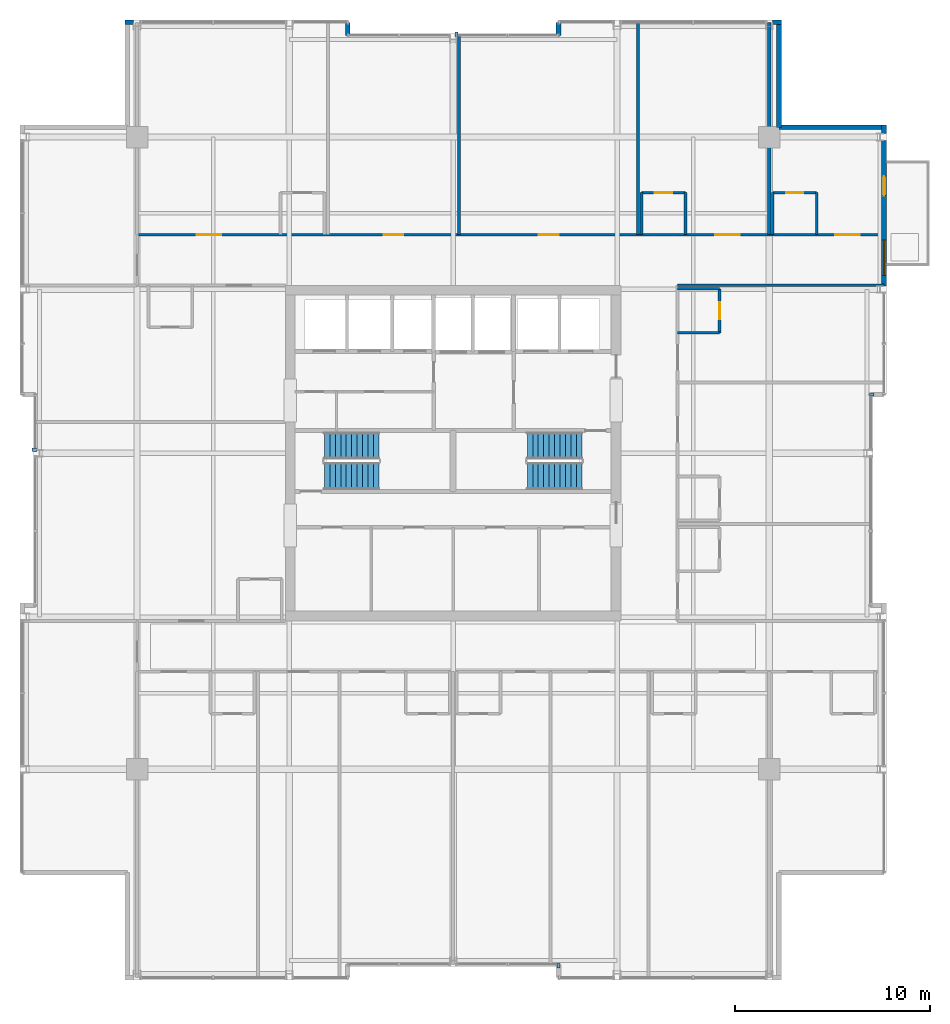
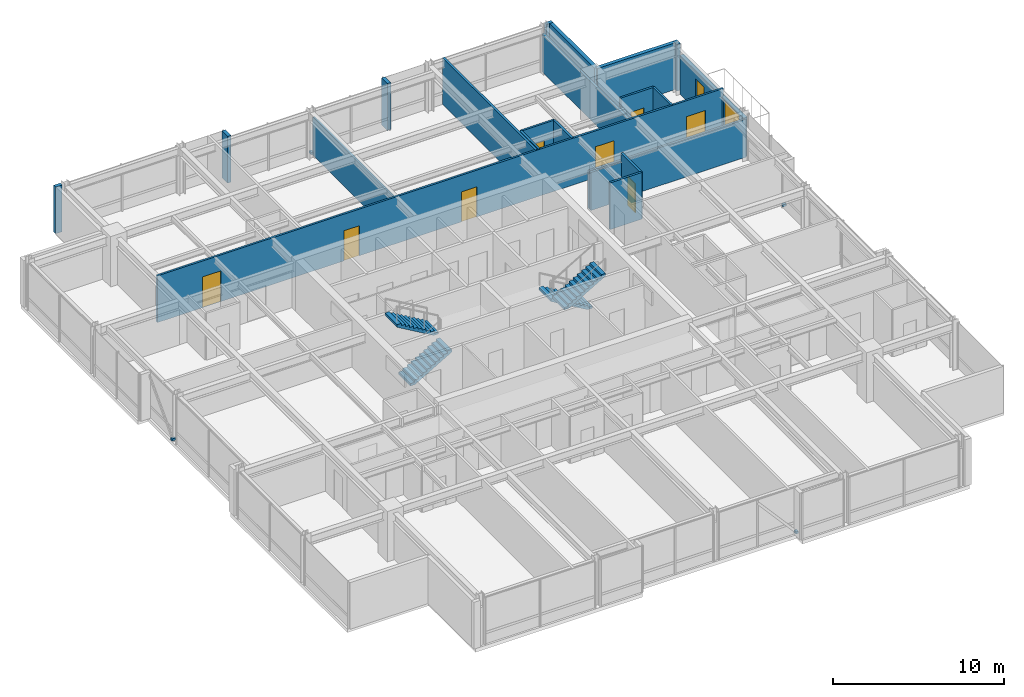
# One storey, part 30 of 33: 22 walls, 9 doors, 4 discrete accessories, 4 stair flights, 1 window, 10 openings, 2 elements without a shape of their own.
"""IFC4 building model written with IfcOpenShell, lengths in metres."""

from ifc_helpers import new_model, si_unit, direction, frame, frame_2d, origin, origin_2d, place, context, subcontext, project, spatial, polyline, rectangle, outline, extrude, material, layer, layer_set, type_object, element, fill, aggregate, save


model = new_model("IFC4")

# Units and contexts
model_context = context("Model", 3, precision=1e-05, world=origin(), true_north=direction((0.0, 1.0)))
body_context = subcontext(model_context, "Body", "Model", "MODEL_VIEW")
ifc_project = project(units=[si_unit("LENGTHUNIT", "METRE"), si_unit("AREAUNIT", "SQUARE_METRE"), si_unit("VOLUMEUNIT", "CUBIC_METRE"), si_unit("PLANEANGLEUNIT", "RADIAN"), si_unit("MASSUNIT", "GRAM", prefix="KILO")], contexts=[model_context])

# Site, building, storey
site_placement = place(None, origin())
site = spatial("IfcSite", under=ifc_project, at=site_placement, CompositionType="ELEMENT")
building_placement = place(site_placement, origin())
building = spatial("IfcBuilding", under=site, at=building_placement, Name="Drelvath Grand Hotel", CompositionType="ELEMENT")
storey_placement = place(building_placement, frame((0.0, 0.0, 248.300048828125)))
storey = spatial("IfcBuildingStorey", under=building, at=storey_placement, Name="L65", CompositionType="ELEMENT", Elevation=248.300048828125)

# Wall, openings, doors
ifc_material_1 = material(Name="Gypsum Fireboard Partition")
ifc_layer_1 = layer(ifc_material_1, 0.135009765625)
ifc_layer_set_1 = layer_set([ifc_layer_1], Name="Gypsum Fireboard Partition")
wall_type_1 = type_object("IfcWallType", Name="Corridor Fire Barrier Wall 135", PredefinedType="PARTITIONING", material=ifc_layer_set_1)
wall_1_placement = place(storey_placement, frame((-16.199951171875, 38.199951171875, 0.0), z_axis=(0.0, 0.0, 1.0), x_axis=(1.0, 0.0, 0.0)))
wall_1 = element("IfcWall", 1, at=wall_1_placement, inside=storey, type_object=wall_type_1, Name="L65 North Cross-Gallery Wall", PredefinedType="PARTITIONING", context=body_context, shape_type="SweptSolid", body=[
    extrude(rectangle(XDim=38.280029296875, YDim=0.135009765625, at=frame_2d((19.14013671875, 0.0))), origin(), (0.0, 0.0, 1.0), 3.33984375),
])
opening_1_placement = place(wall_1_placement, frame((35.784912109375, 0.0, 0.0)))
opening_1 = element("IfcOpeningElement", 2, at=opening_1_placement, cuts=wall_1, Name="Opening D-T4G5-025", PredefinedType="OPENING", context=body_context, shape_type="SweptSolid", body=[
    extrude(rectangle(XDim=1.260009765625, YDim=2.199951171875, at=frame_2d((0.6298828125, 1.10009765625))), frame((0.0, 0.077392578125, 0.0), z_axis=(0.0, -1.0, 0.0), x_axis=(1.0, 0.0, 0.0)), (0.0, 0.0, 1.0), 0.155029296875),
])
opening_2_placement = place(wall_1_placement, frame((3.045654296875, 0.0, 0.0)))
opening_2 = element("IfcOpeningElement", 3, at=opening_2_placement, cuts=wall_1, Name="Opening D-T4G5-037", PredefinedType="OPENING", context=body_context, shape_type="SweptSolid", body=[
    extrude(rectangle(XDim=1.260009765625, YDim=2.199951171875, at=frame_2d((0.6298828125, 1.10009765625))), frame((0.0, 0.077392578125, 0.0), z_axis=(0.0, -1.0, 0.0), x_axis=(1.0, 0.0, 0.0)), (0.0, 0.0, 1.0), 0.155029296875),
])
opening_3_placement = place(wall_1_placement, frame((12.63330078125, 0.0, 0.0)))
opening_3 = element("IfcOpeningElement", 4, at=opening_3_placement, cuts=wall_1, Name="Opening D-T4G5-038", PredefinedType="OPENING", context=body_context, shape_type="SweptSolid", body=[
    extrude(rectangle(XDim=1.02001953125, YDim=2.14990234375, at=frame_2d((0.510009765625, 1.074951171875))), frame((0.0, 0.077392578125, 0.0), z_axis=(0.0, -1.0, 0.0), x_axis=(1.0, 0.0, 0.0)), (0.0, 0.0, 1.0), 0.155029296875),
])
opening_4_placement = place(wall_1_placement, frame((20.58056640625, 0.0, 0.0)))
opening_4 = element("IfcOpeningElement", 5, at=opening_4_placement, cuts=wall_1, Name="Opening D-T4G5-039", PredefinedType="OPENING", context=body_context, shape_type="SweptSolid", body=[
    extrude(rectangle(XDim=1.02001953125, YDim=2.14990234375, at=frame_2d((0.510009765625, 1.074951171875))), frame((0.0, 0.077392578125, 0.0), z_axis=(0.0, -1.0, 0.0), x_axis=(1.0, 0.0, 0.0)), (0.0, 0.0, 1.0), 0.155029296875),
])
opening_5_placement = place(wall_1_placement, frame((29.622802734375, 0.0, 0.0)))
opening_5 = element("IfcOpeningElement", 6, at=opening_5_placement, cuts=wall_1, Name="Opening D-T4G5-041", PredefinedType="OPENING", context=body_context, shape_type="SweptSolid", body=[
    extrude(rectangle(XDim=1.260009765625, YDim=2.199951171875, at=frame_2d((0.6298828125, 1.10009765625))), frame((0.0, 0.077392578125, 0.0), z_axis=(0.0, -1.0, 0.0), x_axis=(1.0, 0.0, 0.0)), (0.0, 0.0, 1.0), 0.155029296875),
])
ifc_material_2 = material(Name="Hardwood Walnut Timber", Category="wood")
door_type_1 = type_object("IfcDoorType", Name="Amenity Meeting Fire Door 1020x2150", OperationType="NOTDEFINED", PredefinedType="DOOR", material=ifc_material_2)
door_1_placement = place(opening_3_placement, origin())
door_1 = element("IfcDoor", 7, at=door_1_placement, inside=storey, type_object=door_type_1, Name="L65 Meeting Room Entry Door", OperationType="SINGLE_SWING_LEFT", OverallHeight=2.14990234375, OverallWidth=1.02001953125, PredefinedType="DOOR", context=body_context, shape_type="SweptSolid", body=[
    extrude(rectangle(XDim=1.02001953125, YDim=2.14990234375, at=frame_2d((0.510009765625, 1.074951171875))), frame((0.0, 0.02490234375, 0.0), z_axis=(0.0, -1.0, 0.0), x_axis=(1.0, 0.0, 0.0)), (0.0, 0.0, 1.0), 0.050048828125),
])
fill(opening_3, door_1)
door_2_placement = place(opening_4_placement, origin())
door_2 = element("IfcDoor", 8, at=door_2_placement, inside=storey, type_object=door_type_1, Name="L65 Tea Tasting Salon Entry Door", OperationType="SINGLE_SWING_RIGHT", OverallHeight=2.14990234375, OverallWidth=1.02001953125, PredefinedType="DOOR", context=body_context, shape_type="SweptSolid", body=[
    extrude(rectangle(XDim=1.02001953125, YDim=2.14990234375, at=frame_2d((0.510009765625, 1.074951171875))), frame((0.0, 0.02490234375, 0.0), z_axis=(0.0, -1.0, 0.0), x_axis=(1.0, 0.0, 0.0)), (0.0, 0.0, 1.0), 0.050048828125),
])
fill(opening_4, door_2)
door_type_2 = type_object("IfcDoorType", Name="Suite Entrance Fire Door 1260x2200", OperationType="NOTDEFINED", PredefinedType="DOOR", material=ifc_material_2)
door_3_placement = place(opening_1_placement, origin())
door_3 = element("IfcDoor", 9, at=door_3_placement, inside=storey, type_object=door_type_2, Name="L65 Diplomatic Suite Entry Door", OperationType="SINGLE_SWING_RIGHT", OverallHeight=2.199951171875, OverallWidth=1.260009765625, PredefinedType="DOOR", context=body_context, shape_type="SweptSolid", body=[
    extrude(rectangle(XDim=1.260009765625, YDim=2.199951171875, at=frame_2d((0.6298828125, 1.10009765625))), frame((0.0, 0.02490234375, 0.0), z_axis=(0.0, -1.0, 0.0), x_axis=(1.0, 0.0, 0.0)), (0.0, 0.0, 1.0), 0.050048828125),
])
fill(opening_1, door_3)
door_4_placement = place(opening_2_placement, origin())
door_4 = element("IfcDoor", 10, at=door_4_placement, inside=storey, type_object=door_type_2, Name="L65 Diplomatic Suite Entry Door", OperationType="SINGLE_SWING_RIGHT", OverallHeight=2.199951171875, OverallWidth=1.260009765625, PredefinedType="DOOR", context=body_context, shape_type="SweptSolid", body=[
    extrude(rectangle(XDim=1.260009765625, YDim=2.199951171875, at=frame_2d((0.6298828125, 1.10009765625))), frame((0.0, 0.02490234375, 0.0), z_axis=(0.0, -1.0, 0.0), x_axis=(1.0, 0.0, 0.0)), (0.0, 0.0, 1.0), 0.050048828125),
])
fill(opening_2, door_4)
door_5_placement = place(opening_5_placement, origin())
door_5 = element("IfcDoor", 11, at=door_5_placement, inside=storey, type_object=door_type_2, Name="L65 Diplomatic Suite Entry Door", OperationType="SINGLE_SWING_RIGHT", OverallHeight=2.199951171875, OverallWidth=1.260009765625, PredefinedType="DOOR", context=body_context, shape_type="SweptSolid", body=[
    extrude(rectangle(XDim=1.260009765625, YDim=2.199951171875, at=frame_2d((0.6298828125, 1.10009765625))), frame((0.0, 0.02490234375, 0.0), z_axis=(0.0, -1.0, 0.0), x_axis=(1.0, 0.0, 0.0)), (0.0, 0.0, 1.0), 0.050048828125),
])
fill(opening_5, door_5)

# Walls
wall_2_placement = place(storey_placement, frame((11.5, 35.60009765625, 0.0), z_axis=(0.0, 0.0, 1.0), x_axis=(1.0, 0.0, 0.0)))
element("IfcWall", 12, at=wall_2_placement, inside=storey, type_object=wall_type_1, Name="L65 North Gallery Inner East Wall", PredefinedType="PARTITIONING", context=body_context, shape_type="SweptSolid", body=[
    extrude(rectangle(XDim=10.580078125, YDim=0.135009765625, at=frame_2d((5.2900390625, 0.0))), origin(), (0.0, 0.0, 1.0), 2.71728515625),
])
ifc_material_3 = material(Name="Moisture-Resistant Gypsum Board")
ifc_layer_2 = layer(ifc_material_3, 0.139892578125)
ifc_layer_set_2 = layer_set([ifc_layer_2], Name="Moisture-Resistant Gypsum Board")
wall_type_2 = type_object("IfcWallType", Name="En-Suite Plumbing Wall 140", PredefinedType="PLUMBINGWALL", material=ifc_layer_set_2)
wall_3_placement = place(storey_placement, frame((16.3798828125, 38.199951171875, 0.0), z_axis=(0.0, 0.0, 1.0), x_axis=(0.0, 1.0, 0.0)))
element("IfcWall", 13, at=wall_3_placement, inside=storey, type_object=wall_type_2, Name="L65 En-Suite Left Wall", PredefinedType="PLUMBINGWALL", context=body_context, shape_type="SweptSolid", body=[
    extrude(rectangle(XDim=2.150146484375, YDim=0.139892578125, at=frame_2d((1.0751953125, 0.0))), origin(), (0.0, 0.0, 1.0), 2.7138671875),
])
wall_4_placement = place(storey_placement, frame((18.6298828125, 38.199951171875, 0.0), z_axis=(0.0, 0.0, 1.0), x_axis=(0.0, 1.0, 0.0)))
element("IfcWall", 14, at=wall_4_placement, inside=storey, type_object=wall_type_2, Name="L65 En-Suite Right Wall", PredefinedType="PLUMBINGWALL", context=body_context, shape_type="SweptSolid", body=[
    extrude(rectangle(XDim=2.150146484375, YDim=0.139892578125, at=frame_2d((1.0751953125, 0.0))), origin(), (0.0, 0.0, 1.0), 3.33984375),
])

# Wall, opening, door
wall_5_placement = place(storey_placement, frame((16.3798828125, 40.35009765625, 0.0), z_axis=(0.0, 0.0, 1.0), x_axis=(1.0, 0.0, 0.0)))
wall_5 = element("IfcWall", 15, at=wall_5_placement, inside=storey, type_object=wall_type_2, Name="L65 En-Suite Front Wall", PredefinedType="PLUMBINGWALL", context=body_context, shape_type="SweptSolid", body=[
    extrude(rectangle(XDim=2.25, YDim=0.139892578125, at=frame_2d((1.125, 0.0))), origin(), (0.0, 0.0, 1.0), 3.33984375),
])
opening_6_placement = place(wall_5_placement, frame((0.68505859375, 0.0, 0.0)))
opening_6 = element("IfcOpeningElement", 16, at=opening_6_placement, cuts=wall_5, Name="Opening D-T4G5-024", PredefinedType="OPENING", context=body_context, shape_type="SweptSolid", body=[
    extrude(rectangle(XDim=0.8798828125, YDim=2.10009765625, at=frame_2d((0.43994140625, 1.050048828125))), frame((0.0, 0.079833984375, 0.0), z_axis=(0.0, -1.0, 0.0), x_axis=(1.0, 0.0, 0.0)), (0.0, 0.0, 1.0), 0.159912109375),
])
door_type_3 = type_object("IfcDoorType", Name="En-Suite Bathroom Door 880x2100", OperationType="NOTDEFINED", PredefinedType="DOOR", material=ifc_material_2)
door_6_placement = place(opening_6_placement, origin())
door_6 = element("IfcDoor", 17, at=door_6_placement, inside=storey, type_object=door_type_3, Name="L65 En-Suite Bathroom Door", OperationType="SINGLE_SWING_LEFT", OverallHeight=2.10009765625, OverallWidth=0.8798828125, PredefinedType="DOOR", context=body_context, shape_type="SweptSolid", body=[
    extrude(rectangle(XDim=0.8798828125, YDim=2.10009765625, at=frame_2d((0.43994140625, 1.050048828125))), frame((0.0, 0.02490234375, 0.0), z_axis=(0.0, -1.0, 0.0), x_axis=(1.0, 0.0, 0.0)), (0.0, 0.0, 1.0), 0.050048828125),
])
fill(opening_6, door_6)

# Walls
for number, where, z_axis, x_axis, name in (
    (18, (9.655517578125, 38.199951171875, 0.0), (0.0, 0.0, 1.0), (0.0, 1.0, 0.0), "L65 En-Suite Left Wall"),
    (19, (11.905517578125, 38.199951171875, 0.0), (0.0, 0.0, 1.0), (0.0, 1.0, 0.0), "L65 En-Suite Right Wall"),
):
    element("IfcWall", number, at=place(storey_placement, frame(where, z_axis=z_axis, x_axis=x_axis)), inside=storey, type_object=wall_type_2, Name=name, PredefinedType="PLUMBINGWALL", context=body_context, shape_type="SweptSolid", body=[
        extrude(rectangle(XDim=2.150146484375, YDim=0.139892578125, at=frame_2d((1.0751953125, 0.0))), origin(), (0.0, 0.0, 1.0), 3.33984375),
    ])

# Wall, opening, door
wall_6_placement = place(storey_placement, frame((9.655517578125, 40.35009765625, 0.0), z_axis=(0.0, 0.0, 1.0), x_axis=(1.0, 0.0, 0.0)))
wall_6 = element("IfcWall", 20, at=wall_6_placement, inside=storey, type_object=wall_type_2, Name="L65 En-Suite Front Wall", PredefinedType="PLUMBINGWALL", context=body_context, shape_type="SweptSolid", body=[
    extrude(rectangle(XDim=2.25, YDim=0.139892578125, at=frame_2d((1.125, 0.0))), origin(), (0.0, 0.0, 1.0), 3.33984375),
])
opening_7_placement = place(wall_6_placement, frame((0.68505859375, 0.0, 0.0)))
opening_7 = element("IfcOpeningElement", 21, at=opening_7_placement, cuts=wall_6, Name="Opening D-T4G5-040", PredefinedType="OPENING", context=body_context, shape_type="SweptSolid", body=[
    extrude(rectangle(XDim=0.8798828125, YDim=2.10009765625, at=frame_2d((0.43994140625, 1.050048828125))), frame((0.0, 0.079833984375, 0.0), z_axis=(0.0, -1.0, 0.0), x_axis=(1.0, 0.0, 0.0)), (0.0, 0.0, 1.0), 0.159912109375),
])
door_7_placement = place(opening_7_placement, origin())
door_7 = element("IfcDoor", 22, at=door_7_placement, inside=storey, type_object=door_type_3, Name="L65 En-Suite Bathroom Door", OperationType="SINGLE_SWING_LEFT", OverallHeight=2.10009765625, OverallWidth=0.8798828125, PredefinedType="DOOR", context=body_context, shape_type="SweptSolid", body=[
    extrude(rectangle(XDim=0.8798828125, YDim=2.10009765625, at=frame_2d((0.43994140625, 1.050048828125))), frame((0.0, 0.02490234375, 0.0), z_axis=(0.0, -1.0, 0.0), x_axis=(1.0, 0.0, 0.0)), (0.0, 0.0, 1.0), 0.050048828125),
])
fill(opening_7, door_7)

# Walls
wall_7_placement = place(storey_placement, frame((11.5, 33.169921875, 0.0), z_axis=(0.0, 0.0, 1.0), x_axis=(1.0, 0.0, 0.0)))
element("IfcWall", 23, at=wall_7_placement, inside=storey, type_object=wall_type_2, Name="L65 En-Suite Left Wall", PredefinedType="PLUMBINGWALL", context=body_context, shape_type="SweptSolid", body=[
    extrude(rectangle(XDim=2.14990234375, YDim=0.139892578125, at=frame_2d((1.074951171875, 0.0))), origin(), (0.0, 0.0, 1.0), 3.33984375),
])
wall_8_placement = place(storey_placement, frame((11.5, 35.419921875, 0.0), z_axis=(0.0, 0.0, 1.0), x_axis=(1.0, 0.0, 0.0)))
element("IfcWall", 24, at=wall_8_placement, inside=storey, type_object=wall_type_2, Name="L65 En-Suite Right Wall", PredefinedType="PLUMBINGWALL", context=body_context, shape_type="SweptSolid", body=[
    extrude(rectangle(XDim=2.14990234375, YDim=0.139892578125, at=frame_2d((1.074951171875, 0.0))), origin(), (0.0, 0.0, 1.0), 2.71728515625),
])

# Wall, opening, door
wall_9_placement = place(storey_placement, frame((13.64990234375, 33.169921875, 0.0), z_axis=(0.0, 0.0, 1.0), x_axis=(0.0, 1.0, 0.0)))
wall_9 = element("IfcWall", 25, at=wall_9_placement, inside=storey, type_object=wall_type_2, Name="L65 En-Suite Front Wall", PredefinedType="PLUMBINGWALL", context=body_context, shape_type="SweptSolid", body=[
    extrude(rectangle(XDim=2.25, YDim=0.139892578125, at=frame_2d((1.125, 0.0))), origin(), (0.0, 0.0, 1.0), 3.33984375),
])
opening_8_placement = place(wall_9_placement, frame((0.68505859375, 0.0, 0.0)))
opening_8 = element("IfcOpeningElement", 26, at=opening_8_placement, cuts=wall_9, Name="Opening D-T4G5-046", PredefinedType="OPENING", context=body_context, shape_type="SweptSolid", body=[
    extrude(rectangle(XDim=0.8798828125, YDim=2.10009765625, at=frame_2d((0.43994140625, 1.050048828125))), frame((0.0, 0.079833984375, 0.0), z_axis=(0.0, -1.0, 0.0), x_axis=(1.0, 0.0, 0.0)), (0.0, 0.0, 1.0), 0.159912109375),
])
door_8_placement = place(opening_8_placement, origin())
door_8 = element("IfcDoor", 27, at=door_8_placement, inside=storey, type_object=door_type_3, Name="L65 En-Suite Bathroom Door", OperationType="SINGLE_SWING_LEFT", OverallHeight=2.10009765625, OverallWidth=0.8798828125, PredefinedType="DOOR", context=body_context, shape_type="SweptSolid", body=[
    extrude(rectangle(XDim=0.8798828125, YDim=2.10009765625, at=frame_2d((0.43994140625, 1.050048828125))), frame((0.0, 0.02490234375, 0.0), z_axis=(0.0, -1.0, 0.0), x_axis=(1.0, 0.0, 0.0)), (0.0, 0.0, 1.0), 0.050048828125),
])
fill(opening_8, door_8)

# Walls
ifc_material_4 = material(Name="Gypsum Acoustic Partition")
ifc_layer_3 = layer(ifc_material_4, 0.14990234375)
ifc_layer_set_3 = layer_set([ifc_layer_3], Name="Gypsum Acoustic Partition")
wall_type_3 = type_object("IfcWallType", Name="Guestroom Demising Wall 150", PredefinedType="PARTITIONING", material=ifc_layer_set_3)
wall_10_placement = place(storey_placement, frame((0.3056640625, 38.199951171875, 0.0), z_axis=(0.0, 0.0, 1.0), x_axis=(0.0, 1.0, 0.0)))
element("IfcWall", 28, at=wall_10_placement, inside=storey, type_object=wall_type_3, Name="L65 North Demising 2", PredefinedType="PARTITIONING", context=body_context, shape_type="SweptSolid", body=[
    extrude(rectangle(XDim=10.199951171875, YDim=0.14990234375, at=frame_2d((5.10009765625, 0.0))), origin(), (0.0, 0.0, 1.0), 2.7138671875),
])
wall_11_placement = place(storey_placement, frame((9.4755859375, 38.199951171875, 0.0), z_axis=(0.0, 0.0, 1.0), x_axis=(0.0, 1.0, 0.0)))
element("IfcWall", 29, at=wall_11_placement, inside=storey, type_object=wall_type_3, Name="L65 North Demising 3", PredefinedType="PARTITIONING", context=body_context, shape_type="SweptSolid", body=[
    extrude(rectangle(XDim=10.880126953125, YDim=0.14990234375, at=frame_2d((5.43994140625, 0.0))), origin(), (0.0, 0.0, 1.0), 3.33984375),
])
ifc_layer_4 = layer(ifc_material_4, 0.1650390625)
ifc_layer_set_4 = layer_set([ifc_layer_4], Name="Gypsum Acoustic Partition")
wall_type_4 = type_object("IfcWallType", Name="Suite Demising Wall 165", PredefinedType="PARTITIONING", material=ifc_layer_set_4)
wall_12_placement = place(storey_placement, frame((16.199951171875, 38.199951171875, 0.0), z_axis=(0.0, 0.0, 1.0), x_axis=(0.0, 1.0, 0.0)))
element("IfcWall", 30, at=wall_12_placement, inside=storey, type_object=wall_type_4, Name="L65 NE Suite Wall", PredefinedType="PARTITIONING", context=body_context, shape_type="SweptSolid", body=[
    extrude(rectangle(XDim=10.880126953125, YDim=0.1650390625, at=frame_2d((5.43994140625, 0.0))), origin(), (0.0, 0.0, 1.0), 2.7138671875),
])

# Wall, openings, window, door
ifc_material_5 = material(Name="Pale-Metal Insulated Aluminium Spandrel Assembly", Category="aluminium")
ifc_layer_5 = layer(ifc_material_5, 0.239990234375)
ifc_layer_set_5 = layer_set([ifc_layer_5], Name="Pale-Metal Insulated Aluminium Spandrel Assembly")
wall_type_5 = type_object("IfcWallType", Name="Tower Insulated Metal Spandrel Closure Wall 240", PredefinedType="STANDARD", material=ifc_layer_set_5)
wall_13_placement = place(storey_placement, frame((22.080078125, 43.021728515625, 0.0), z_axis=(0.0, 0.0, 1.0), x_axis=(0.0, -1.0, 0.0)))
wall_13 = element("IfcWall", 31, at=wall_13_placement, inside=storey, type_object=wall_type_5, Name="L65 Exterior Terrace Door Bay Wall EN2", PredefinedType="STANDARD", context=body_context, shape_type="SweptSolid", body=[
    extrude(rectangle(XDim=7.443603515625, YDim=0.239990234375, at=frame_2d((3.7216796875, 0.0))), origin(), (0.0, 0.0, 1.0), 2.80322265625),
])
opening_9_placement = place(wall_13_placement, frame((1.82177734375, 0.0, 0.0)))
opening_9 = element("IfcOpeningElement", 32, at=opening_9_placement, cuts=wall_13, Name="Opening TD-1000", PredefinedType="OPENING", context=body_context, shape_type="SweptSolid", body=[
    extrude(rectangle(XDim=1.0, YDim=2.199951171875, at=frame_2d((0.5, 1.10009765625))), frame((0.0, 0.1298828125, 0.0), z_axis=(0.0, -1.0, 0.0), x_axis=(1.0, 0.0, 0.0)), (0.0, 0.0, 1.0), 0.260009765625),
])
opening_10_placement = place(wall_13_placement, frame((5.106689453125, 0.0, 0.75)))
opening_10 = element("IfcOpeningElement", 33, at=opening_10_placement, cuts=wall_13, Name="Opening W-02", PredefinedType="OPENING", context=body_context, shape_type="SweptSolid", body=[
    extrude(rectangle(XDim=1.800048828125, YDim=1.953369140625, at=frame_2d((0.89990234375, 0.9765625))), frame((0.0, 0.1298828125, 0.0), z_axis=(0.0, -1.0, 0.0), x_axis=(1.0, 0.0, 0.0)), (0.0, 0.0, 1.0), 0.260009765625),
])
ifc_material_6 = material(Name="Bronze Anodised Low-E Triple Glazing", Category="glass")
window_type = type_object("IfcWindowType", Name="Chicago Double-Pane Podium Window 1800x2400", PartitioningType="DOUBLE_PANEL_VERTICAL", PredefinedType="WINDOW", material=ifc_material_6)
window_placement = place(opening_10_placement, origin())
window = element("IfcWindow", 34, at=window_placement, inside=storey, type_object=window_type, Name="L65 Terrace Bay Companion Window EN2", OverallHeight=1.953369140625, OverallWidth=1.800048828125, PartitioningType="SINGLE_PANEL", PredefinedType="WINDOW", context=body_context, shape_type="SweptSolid", body=[
    extrude(rectangle(XDim=1.800048828125, YDim=1.953369140625, at=frame_2d((0.89990234375, 0.9765625))), frame((0.0, 0.030029296875, 0.0), z_axis=(0.0, -1.0, 0.0), x_axis=(1.0, 0.0, 0.0)), (0.0, 0.0, 1.0), 0.06005859375),
])
fill(opening_10, window)
ifc_material_7 = material(Name="Anodised Aluminium Thermally Broken Glazed Door", Category="aluminium")
door_type_4 = type_object("IfcDoorType", Name="Terrace and Tree Balcony Glazed Door 1000x2200", OperationType="NOTDEFINED", PredefinedType="DOOR", material=ifc_material_7)
door_9_placement = place(opening_9_placement, origin())
door_9 = element("IfcDoor", 35, at=door_9_placement, inside=storey, type_object=door_type_4, Name="L65 Tree Balcony Door DOOR-L65-TBAL-1", OperationType="SINGLE_SWING_RIGHT", OverallHeight=2.199951171875, OverallWidth=1.0, PredefinedType="DOOR", context=body_context, shape_type="SweptSolid", body=[
    extrude(rectangle(XDim=1.0, YDim=2.199951171875, at=frame_2d((0.5, 1.10009765625))), frame((0.0, 0.02490234375, 0.0), z_axis=(0.0, -1.0, 0.0), x_axis=(1.0, 0.0, 0.0)), (0.0, 0.0, 1.0), 0.050048828125),
])
fill(opening_9, door_9)

# Walls
for number, where, z_axis, x_axis, name in (
    (36, (22.080078125, 43.820068359375, 0.0), (0.0, 0.0, 1.0), (0.0, -1.0, 0.0), "L65 Corner Pier Spandrel Wall EN3"),
    (37, (-16.820068359375, 49.080078125, 0.0), (0.0, 0.0, 1.0), (1.0, 0.0, 0.0), "L65 Corner Pier Spandrel Wall NW1"),
    (38, (16.378173828125, 49.080078125, 0.0), (0.0, 0.0, 1.0), (1.0, 0.0, 0.0), "L65 Corner Pier Spandrel Wall NE3"),
):
    element("IfcWall", number, at=place(storey_placement, frame(where, z_axis=z_axis, x_axis=x_axis)), inside=storey, type_object=wall_type_5, Name=name, PredefinedType="STANDARD", context=body_context, shape_type="SweptSolid", body=[
        extrude(rectangle(XDim=0.44189453125, YDim=0.239990234375, at=frame_2d((0.220947265625, 0.0))), origin(), (0.0, 0.0, 1.0), 3.33984375),
    ])
for number, where, z_axis, x_axis, name in (
    (39, (16.699951171875, 48.9599609375, 0.0), (0.0, 0.0, 1.0), (0.0, -1.0, 0.0), "L65 Notched Corner Return Spandrel Wall CNE1"),
    (40, (16.699951171875, 43.699951171875, 0.0), (0.0, 0.0, 1.0), (1.0, 0.0, 0.0), "L65 Notched Corner Return Spandrel Wall CNE2"),
):
    element("IfcWall", number, at=place(storey_placement, frame(where, z_axis=z_axis, x_axis=x_axis)), inside=storey, type_object=wall_type_5, Name=name, PredefinedType="STANDARD", context=body_context, shape_type="SweptSolid", body=[
        extrude(rectangle(XDim=5.260009765625, YDim=0.239990234375, at=frame_2d((2.6298828125, 0.0))), origin(), (0.0, 0.0, 1.0), 3.33984375),
    ])
for number, where, z_axis, x_axis, name in (
    (41, (-5.39990234375, 49.080078125, 0.0), (0.0, 0.0, 1.0), (0.0, -1.0, 0.0), "L65 Notched Corner Return Spandrel Wall RN1"),
    (42, (5.39990234375, 48.39990234375, 0.0), (0.0, 0.0, 1.0), (0.0, 1.0, 0.0), "L65 Notched Corner Return Spandrel Wall RN2"),
):
    element("IfcWall", number, at=place(storey_placement, frame(where, z_axis=z_axis, x_axis=x_axis)), inside=storey, type_object=wall_type_5, Name=name, PredefinedType="STANDARD", context=body_context, shape_type="SweptSolid", body=[
        extrude(rectangle(XDim=0.68017578125, YDim=0.239990234375, at=frame_2d((0.340087890625, 0.0))), origin(), (0.0, 0.0, 1.0), 3.33984375),
    ])

# Stair, stair flights
ifc_material_8 = material(Name="Concrete C40/50", Category="concrete")
stair_type = type_object("IfcStairType", Name="Dogleg Exit Stair W1400-R163.6", PredefinedType="HALF_TURN_STAIR", material=ifc_material_8)
stair_1_placement = place(storey_placement, origin())
stair_1 = element("IfcStair", 43, at=stair_1_placement, inside=storey, type_object=stair_type, Name="L65 Core Exit Stair ST-1", PredefinedType="HALF_TURN_STAIR")
stair_flight_type = type_object("IfcStairFlightType", Name="Concrete Stair Flight W1400-R163.6", PredefinedType="STRAIGHT", material=ifc_material_8)
stair_flight_1_placement = place(storey_placement, frame((-6.60009765625, 25.820068359375, 0.0), z_axis=(0.0, 0.0, 1.0), x_axis=(1.0, 0.0, 0.0)))
stair_flight_1 = element("IfcStairFlight", 44, at=stair_flight_1_placement, type_object=stair_flight_type, Name="ST-1 flight 1", NumberOfRisers=11, NumberOfTreads=10, PredefinedType="STRAIGHT", RiserHeight=0.163636364, TreadLength=0.28, context=body_context, shape_type="SweptSolid", body=[
    extrude(outline(polyline([(0.0, 0.0), (0.0, 0.16357421875), (0.280029296875, 0.16357421875), (0.280029296875, 0.327392578125), (0.56005859375, 0.327392578125), (0.56005859375, 0.490966796875), (0.840087890625, 0.490966796875), (0.840087890625, 0.654541015625), (1.1201171875, 0.654541015625), (1.1201171875, 0.818115234375), (1.39990234375, 0.818115234375), (1.39990234375, 0.98193359375), (1.679931640625, 0.98193359375), (1.679931640625, 1.1455078125), (1.9599609375, 1.1455078125), (1.9599609375, 1.30908203125), (2.239990234375, 1.30908203125), (2.239990234375, 1.47265625), (2.52001953125, 1.47265625), (2.52001953125, 1.636474609375), (2.800048828125, 1.636474609375), (2.800048828125, 1.800048828125), (2.800048828125, 1.451171875), (0.31689453125, 0.0), (0.0, 0.0)])), frame((0.0, 0.699951171875, 0.0), z_axis=(0.0, -1.0, 0.0), x_axis=(1.0, 0.0, 0.0)), (0.0, 0.0, 1.0), 1.39990234375),
])
stair_flight_2_placement = place(storey_placement, frame((-3.800048828125, 27.3798828125, 1.800048828125), z_axis=(0.0, 0.0, 1.0), x_axis=(-1.0, 0.0, 0.0)))
stair_flight_2 = element("IfcStairFlight", 45, at=stair_flight_2_placement, type_object=stair_flight_type, Name="ST-1 flight 2", NumberOfRisers=11, NumberOfTreads=10, PredefinedType="STRAIGHT", RiserHeight=0.163636364, TreadLength=0.28, context=body_context, shape_type="SweptSolid", body=[
    extrude(outline(polyline([(0.0, 0.0), (0.0, 0.16357421875), (0.280029296875, 0.16357421875), (0.280029296875, 0.327392578125), (0.56005859375, 0.327392578125), (0.56005859375, 0.490966796875), (0.840087890625, 0.490966796875), (0.840087890625, 0.654541015625), (1.1201171875, 0.654541015625), (1.1201171875, 0.818115234375), (1.39990234375, 0.818115234375), (1.39990234375, 0.98193359375), (1.679931640625, 0.98193359375), (1.679931640625, 1.1455078125), (1.9599609375, 1.1455078125), (1.9599609375, 1.30908203125), (2.239990234375, 1.30908203125), (2.239990234375, 1.47265625), (2.52001953125, 1.47265625), (2.52001953125, 1.636474609375), (2.800048828125, 1.636474609375), (2.800048828125, 1.800048828125), (2.800048828125, 1.451171875), (0.31689453125, 0.0), (0.0, 0.0)])), frame((0.0, 0.699951171875, 0.0), z_axis=(0.0, -1.0, 0.0), x_axis=(1.0, 0.0, 0.0)), (0.0, 0.0, 1.0), 1.39990234375),
])
aggregate(stair_1, [stair_flight_1, stair_flight_2])

stair_2_placement = place(storey_placement, origin())
stair_2 = element("IfcStair", 46, at=stair_2_placement, inside=storey, type_object=stair_type, Name="L65 Core Exit Stair ST-2", PredefinedType="HALF_TURN_STAIR")
stair_flight_3_placement = place(storey_placement, frame((6.60009765625, 27.3798828125, 0.0), z_axis=(0.0, 0.0, 1.0), x_axis=(-1.0, 0.0, 0.0)))
stair_flight_3 = element("IfcStairFlight", 47, at=stair_flight_3_placement, type_object=stair_flight_type, Name="ST-2 flight 1", NumberOfRisers=11, NumberOfTreads=10, PredefinedType="STRAIGHT", RiserHeight=0.163636364, TreadLength=0.28, context=body_context, shape_type="SweptSolid", body=[
    extrude(outline(polyline([(0.0, 0.0), (0.0, 0.16357421875), (0.280029296875, 0.16357421875), (0.280029296875, 0.327392578125), (0.56005859375, 0.327392578125), (0.56005859375, 0.490966796875), (0.840087890625, 0.490966796875), (0.840087890625, 0.654541015625), (1.1201171875, 0.654541015625), (1.1201171875, 0.818115234375), (1.39990234375, 0.818115234375), (1.39990234375, 0.98193359375), (1.679931640625, 0.98193359375), (1.679931640625, 1.1455078125), (1.9599609375, 1.1455078125), (1.9599609375, 1.30908203125), (2.239990234375, 1.30908203125), (2.239990234375, 1.47265625), (2.52001953125, 1.47265625), (2.52001953125, 1.636474609375), (2.800048828125, 1.636474609375), (2.800048828125, 1.800048828125), (2.800048828125, 1.451171875), (0.31689453125, 0.0), (0.0, 0.0)])), frame((0.0, 0.699951171875, 0.0), z_axis=(0.0, -1.0, 0.0), x_axis=(1.0, 0.0, 0.0)), (0.0, 0.0, 1.0), 1.39990234375),
])
stair_flight_4_placement = place(storey_placement, frame((3.800048828125, 25.820068359375, 1.800048828125), z_axis=(0.0, 0.0, 1.0), x_axis=(1.0, 0.0, 0.0)))
stair_flight_4 = element("IfcStairFlight", 48, at=stair_flight_4_placement, type_object=stair_flight_type, Name="ST-2 flight 2", NumberOfRisers=11, NumberOfTreads=10, PredefinedType="STRAIGHT", RiserHeight=0.163636364, TreadLength=0.28, context=body_context, shape_type="SweptSolid", body=[
    extrude(outline(polyline([(0.0, 0.0), (0.0, 0.16357421875), (0.280029296875, 0.16357421875), (0.280029296875, 0.327392578125), (0.56005859375, 0.327392578125), (0.56005859375, 0.490966796875), (0.840087890625, 0.490966796875), (0.840087890625, 0.654541015625), (1.1201171875, 0.654541015625), (1.1201171875, 0.818115234375), (1.39990234375, 0.818115234375), (1.39990234375, 0.98193359375), (1.679931640625, 0.98193359375), (1.679931640625, 1.1455078125), (1.9599609375, 1.1455078125), (1.9599609375, 1.30908203125), (2.239990234375, 1.30908203125), (2.239990234375, 1.47265625), (2.52001953125, 1.47265625), (2.52001953125, 1.636474609375), (2.800048828125, 1.636474609375), (2.800048828125, 1.800048828125), (2.800048828125, 1.451171875), (0.31689453125, 0.0), (0.0, 0.0)])), frame((0.0, 0.699951171875, 0.0), z_axis=(0.0, -1.0, 0.0), x_axis=(1.0, 0.0, 0.0)), (0.0, 0.0, 1.0), 1.39990234375),
])
aggregate(stair_2, [stair_flight_3, stair_flight_4])

# Discrete accessories
ifc_material_9 = material(Name="Stainless Steel Grade 316", Category="steel")
discrete_accessory_type = type_object("IfcDiscreteAccessoryType", Name="Curtain Wall Fin Mounting Bracket Cleat", PredefinedType="BRACKET", material=ifc_material_9)
for number, where, z_axis, x_axis, name in (
    (49, (-21.4599609375, 27.17822265625, 0.10009765625), (0.0, 0.0, 1.0), (0.0, 1.0, 0.0), "L65 Fin Mounting Bracket CW05-L65-WM2-1"),
    (50, (21.4599609375, 30.0, 0.10009765625), (0.0, 0.0, 1.0), (0.0, -1.0, 0.0), "L65 Fin Mounting Bracket CW05-L65-EM2-1"),
    (51, (0.17822265625, 48.4599609375, 0.10009765625), (0.0, 0.0, 1.0), (1.0, 0.0, 0.0), "L65 Fin Mounting Bracket CW05-L65-NM2-1"),
    (52, (5.39990234375, 0.739990234375, 0.10009765625), (0.0, 0.0, 1.0), (-1.0, 0.0, 0.0), "L65 Fin Mounting Bracket CW05-L65-SM2-1"),
):
    element("IfcDiscreteAccessory", number, at=place(storey_placement, frame(where, z_axis=z_axis, x_axis=x_axis)), inside=storey, type_object=discrete_accessory_type, Name=name, PredefinedType="BRACKET", context=body_context, shape_type="SweptSolid", body=[
        extrude(rectangle(XDim=0.159912109375, YDim=0.239990234375, at=origin_2d()), origin(), (0.0, 0.0, 1.0), 0.159912109375),
    ])

save(model, "model.ifc")
